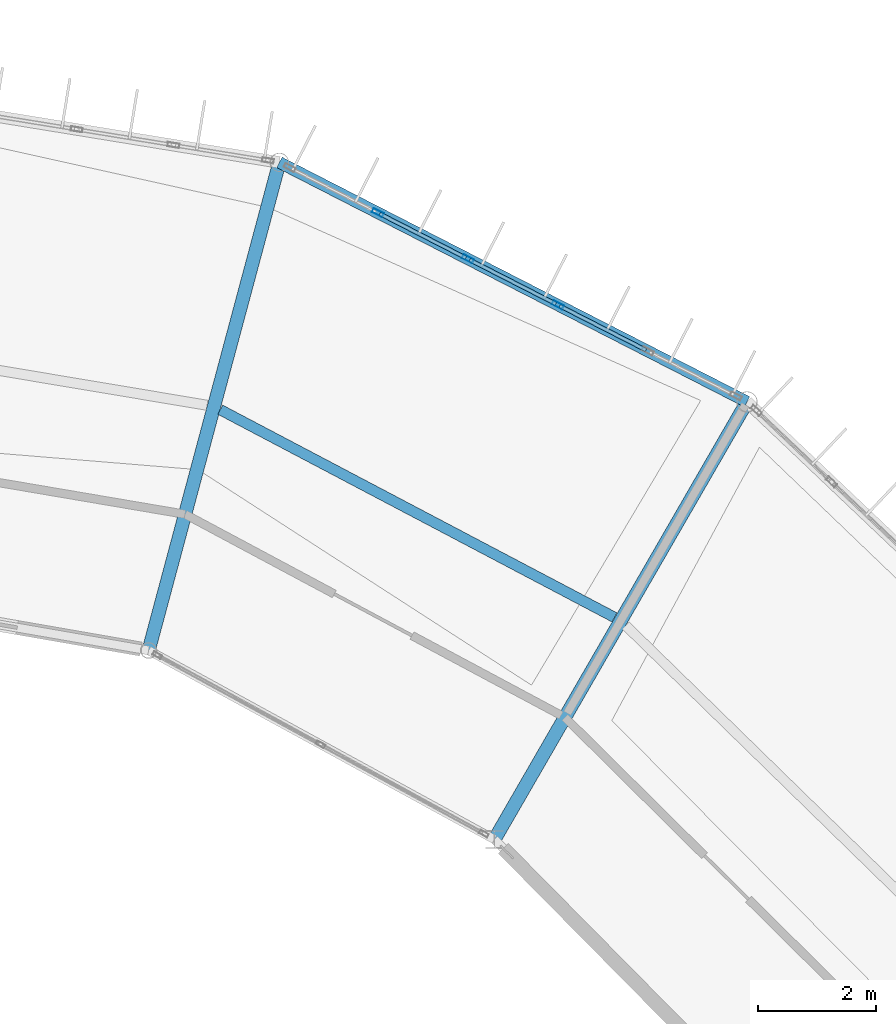
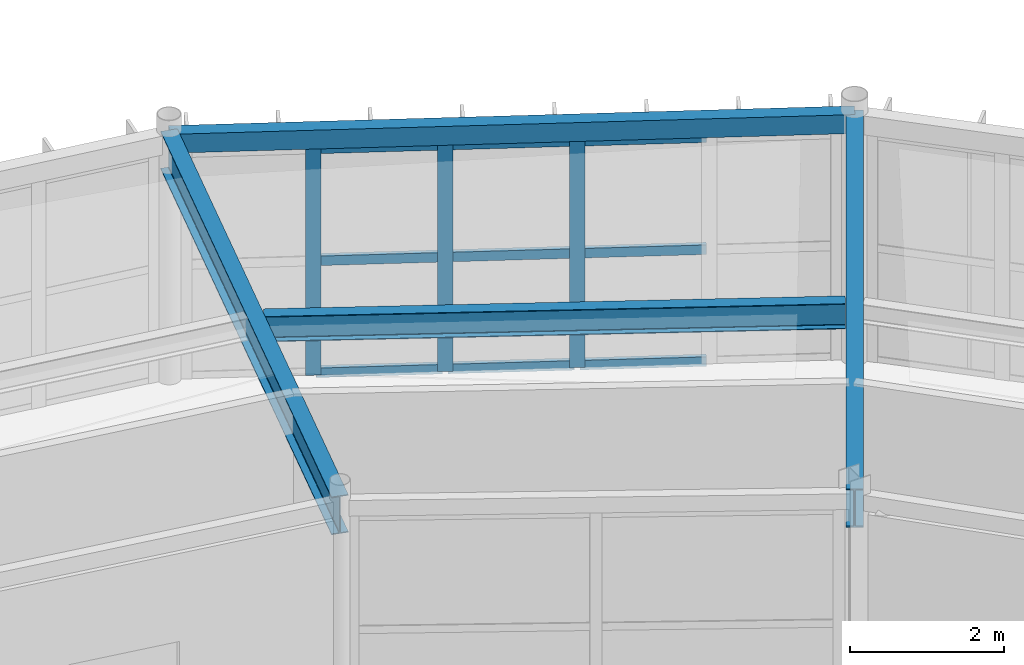
# One storey, part 87 of 148: 12 members, 4 beams, 1 element without a shape of its own.
"""IFC4 building model written with IfcOpenShell, lengths in metres."""

from ifc_helpers import new_model, si_unit, direction, frame, origin, origin_2d, place, context, subcontext, project, spatial, hollow_rectangle, i_section, extrude, material, material_profile, profile_set, type_object, element, aggregate, save


model = new_model("IFC4")

# Units and contexts
model_context = context("Model", 3, precision=1e-05, world=origin(), true_north=direction((0.0, 1.0)))
body_context = subcontext(model_context, "Body", "Model", "MODEL_VIEW")
ifc_project = project(units=[si_unit("LENGTHUNIT", "METRE"), si_unit("AREAUNIT", "SQUARE_METRE"), si_unit("VOLUMEUNIT", "CUBIC_METRE"), si_unit("PLANEANGLEUNIT", "RADIAN"), si_unit("MASSUNIT", "GRAM", prefix="KILO")], contexts=[model_context])

# Site, building, storey
site_placement = place(None, origin())
site = spatial("IfcSite", under=ifc_project, at=site_placement, CompositionType="ELEMENT")
building_placement = place(site_placement, origin())
building = spatial("IfcBuilding", under=site, at=building_placement, Name="Karori Crest Natural Sciences Institute", CompositionType="ELEMENT")
storey_placement = place(building_placement, frame((0.0, 0.0, 4.89990234375)))
storey = spatial("IfcBuildingStorey", under=building, at=storey_placement, Name="L01", CompositionType="ELEMENT", Elevation=4.89990234375)

# Beams
ifc_material_1 = material(Name="Structural steel AS/NZS 3679.1 Grade 350", Category="steel")
ifc_material_profile_1 = material_profile(ifc_material_1, i_section(OverallWidth=0.22900390625, OverallDepth=0.612060546875, WebThickness=0.011962890625, FlangeThickness=0.01953125, FilletRadius=0.013916015625, at=origin_2d()), Name="610UB125")
ifc_profile_set_1 = profile_set([ifc_material_profile_1], Name="Structural steel AS/NZS 3679.1 Grade 350")
beam_type_1 = type_object("IfcBeamType", Name="BT-04", PredefinedType="BEAM", material=ifc_profile_set_1)
beam_1_placement = place(storey_placement, frame((78.60009765625, 77.785888671875, 3.634033203125), z_axis=(0.499973925258, 0.86604045752, 0.0), x_axis=(-0.86604045752, 0.499973925258, 0.0)))
element("IfcBeam", 1, at=beam_1_placement, inside=storey, type_object=beam_type_1, Name="Beam B-0197", PredefinedType="BEAM", context=body_context, shape_type="SweptSolid", body=[
    extrude(i_section(OverallWidth=0.22900390625, OverallDepth=0.612060546875, WebThickness=0.011962890625, FlangeThickness=0.01953125, FilletRadius=0.013916015625, at=origin_2d()), origin(), (0.0, 0.0, 1.0), 8.60009765625),
])
ifc_material_2 = material(Name="Hollow structural steel AS/NZS 1163 Grade C350", Category="steel")
ifc_material_profile_2 = material_profile(ifc_material_2, hollow_rectangle(XDim=0.199951171875, YDim=0.300048828125, WallThickness=0.010009765625, at=origin_2d()), Name="RHS300x200x10")
ifc_profile_set_2 = profile_set([ifc_material_profile_2], Name="Hollow structural steel AS/NZS 1163 Grade C350")
beam_type_2 = type_object("IfcBeamType", Name="BT-15", PredefinedType="SPANDREL", material=ifc_profile_set_2)
beam_2_placement = place(storey_placement, frame((82.89990234375, 85.23388671875, 3.7900390625), z_axis=(-0.890071733872, 0.455820478436, 0.0), x_axis=(-0.455820478436, -0.890071733872, 0.0)))
element("IfcBeam", 2, at=beam_2_placement, inside=storey, type_object=beam_type_2, Name="Beam B-0195", PredefinedType="SPANDREL", context=body_context, shape_type="SweptSolid", body=[
    extrude(hollow_rectangle(XDim=0.199951171875, YDim=0.300048828125, WallThickness=0.010009765625, at=origin_2d()), origin(), (0.0, 0.0, 1.0), 8.94189453125),
])
ifc_material_profile_3 = material_profile(ifc_material_1, i_section(OverallWidth=0.22802734375, OverallDepth=0.60205078125, WebThickness=0.010498046875, FlangeThickness=0.014892578125, FilletRadius=0.013916015625, at=origin_2d()), Name="610UB101")
ifc_profile_set_3 = profile_set([ifc_material_profile_3], Name="Structural steel AS/NZS 3679.1 Grade 350")
beam_type_3 = type_object("IfcBeamType", Name="BT-27", PredefinedType="BEAM", material=ifc_profile_set_3)
beam_3_placement = place(storey_placement, frame((72.715087890625, 81.002685546875, 3.63916015625), z_axis=(0.258812709002, 0.96592752402, 0.0), x_axis=(-0.96592752402, 0.258812709002, 0.0)))
element("IfcBeam", 3, at=beam_3_placement, inside=storey, type_object=beam_type_3, Name="Beam B-0201", PredefinedType="BEAM", context=body_context, shape_type="SweptSolid", body=[
    extrude(i_section(OverallWidth=0.22802734375, OverallDepth=0.60205078125, WebThickness=0.010498046875, FlangeThickness=0.014892578125, FilletRadius=0.013916015625, at=origin_2d()), origin(), (0.0, 0.0, 1.0), 8.60009765625),
])
ifc_material_profile_4 = material_profile(ifc_material_1, i_section(OverallWidth=0.177978515625, OverallDepth=0.403076171875, WebThickness=0.007568359375, FlangeThickness=0.010986328125, FilletRadius=0.010986328125, at=origin_2d()), Name="410UB53.7")
ifc_profile_set_4 = profile_set([ifc_material_profile_4], Name="Structural steel AS/NZS 3679.1 Grade 350")
beam_type_4 = type_object("IfcBeamType", Name="BT-29", PredefinedType="BEAM", material=ifc_profile_set_4)
beam_4_placement = place(storey_placement, frame((80.643798828125, 81.56591796875, 3.738525390625), z_axis=(-0.884748465601, 0.466068828197, 0.0), x_axis=(-0.466068828197, -0.884748465601, 0.0)))
element("IfcBeam", 4, at=beam_4_placement, inside=storey, type_object=beam_type_4, Name="Beam B-0198", PredefinedType="BEAM", context=body_context, shape_type="SweptSolid", body=[
    extrude(i_section(OverallWidth=0.177978515625, OverallDepth=0.403076171875, WebThickness=0.007568359375, FlangeThickness=0.010986328125, FilletRadius=0.010986328125, at=origin_2d()), origin(), (0.0, 0.0, 1.0), 7.58349609375),
])

# Curtain wall, members
ifc_material_3 = material(Name="Anodised architectural aluminium 6063-T6", Category="aluminium")
curtain_wall_type = type_object("IfcCurtainWallType", Name="CWT-05", PredefinedType="NOTDEFINED", material=ifc_material_3)
curtain_wall_placement = place(storey_placement, origin())
curtain_wall = element("IfcCurtainWall", 5, at=curtain_wall_placement, inside=storey, type_object=curtain_wall_type, Name="Curtain wall CW-0036", PredefinedType="NOTDEFINED")
ifc_material_profile_5 = material_profile(ifc_material_3, hollow_rectangle(XDim=0.074951171875, YDim=0.199951171875, WallThickness=0.0048828125, at=origin_2d()), Name="CWM200x75x5")
ifc_profile_set_5 = profile_set([ifc_material_profile_5], Name="Anodised architectural aluminium 6063-T6")
member_type_1 = type_object("IfcMemberType", Name="CWM-02", PredefinedType="MULLION", material=ifc_profile_set_5)
member_1_placement = place(storey_placement, frame((76.615478515625, 88.452392578125, 0.0), z_axis=(0.0, 0.0, 1.0), x_axis=(0.455832988828, 0.890065326982, 0.0)))
member_1 = element("IfcMember", 6, at=member_1_placement, type_object=member_type_1, Name="CW-0036 mullion 2", PredefinedType="MULLION", context=body_context, shape_type="SweptSolid", body=[
    extrude(hollow_rectangle(XDim=0.074951171875, YDim=0.199951171875, WallThickness=0.0048828125, at=origin_2d()), origin(), (0.0, 0.0, 1.0), 3.625),
])
member_2_placement = place(storey_placement, frame((78.1474609375, 87.667724609375, 0.0), z_axis=(0.0, 0.0, 1.0), x_axis=(0.455832988828, 0.890065326982, 0.0)))
member_2 = element("IfcMember", 7, at=member_2_placement, type_object=member_type_1, Name="CW-0036 mullion 3", PredefinedType="MULLION", context=body_context, shape_type="SweptSolid", body=[
    extrude(hollow_rectangle(XDim=0.074951171875, YDim=0.199951171875, WallThickness=0.0048828125, at=origin_2d()), origin(), (0.0, 0.0, 1.0), 3.625),
])
member_3_placement = place(storey_placement, frame((79.679443359375, 86.883056640625, 0.0), z_axis=(0.0, 0.0, 1.0), x_axis=(0.455832988828, 0.890065326982, 0.0)))
member_3 = element("IfcMember", 8, at=member_3_placement, type_object=member_type_1, Name="CW-0036 mullion 4", PredefinedType="MULLION", context=body_context, shape_type="SweptSolid", body=[
    extrude(hollow_rectangle(XDim=0.074951171875, YDim=0.199951171875, WallThickness=0.0048828125, at=origin_2d()), origin(), (0.0, 0.0, 1.0), 3.625),
])
ifc_material_profile_6 = material_profile(ifc_material_3, hollow_rectangle(XDim=0.06494140625, YDim=0.14990234375, WallThickness=0.00390625, at=origin_2d()), Name="CWT150x65x4")
ifc_profile_set_6 = profile_set([ifc_material_profile_6], Name="Anodised architectural aluminium 6063-T6")
member_type_2 = type_object("IfcMemberType", Name="CWT-TR2", PredefinedType="USERDEFINED", material=ifc_profile_set_6)
member_4_placement = place(storey_placement, frame((76.648681640625, 88.435302734375, 0.03271484375), z_axis=(0.890055105015, -0.45585294782, 0.0), x_axis=(0.45585294782, 0.890055105015, 0.0)))
member_4 = element("IfcMember", 9, at=member_4_placement, type_object=member_type_2, Name="CW-0036 transom 2.1", ObjectType="TRANSOM", PredefinedType="USERDEFINED", context=body_context, shape_type="SweptSolid", body=[
    extrude(hollow_rectangle(XDim=0.06494140625, YDim=0.14990234375, WallThickness=0.00390625, at=origin_2d()), origin(), (0.0, 0.0, 1.0), 1.646240234375),
])
member_5_placement = place(storey_placement, frame((76.648681640625, 88.435302734375, 1.8125), z_axis=(0.890055105015, -0.45585294782, 0.0), x_axis=(0.45585294782, 0.890055105015, 0.0)))
member_5 = element("IfcMember", 10, at=member_5_placement, type_object=member_type_2, Name="CW-0036 transom 2.2", ObjectType="TRANSOM", PredefinedType="USERDEFINED", context=body_context, shape_type="SweptSolid", body=[
    extrude(hollow_rectangle(XDim=0.06494140625, YDim=0.14990234375, WallThickness=0.00390625, at=origin_2d()), origin(), (0.0, 0.0, 1.0), 1.646240234375),
])
member_6_placement = place(storey_placement, frame((76.648681640625, 88.435302734375, 3.592529296875), z_axis=(0.890055105015, -0.45585294782, 0.0), x_axis=(0.45585294782, 0.890055105015, 0.0)))
member_6 = element("IfcMember", 11, at=member_6_placement, type_object=member_type_2, Name="CW-0036 transom 2.3", ObjectType="TRANSOM", PredefinedType="USERDEFINED", context=body_context, shape_type="SweptSolid", body=[
    extrude(hollow_rectangle(XDim=0.06494140625, YDim=0.14990234375, WallThickness=0.00390625, at=origin_2d()), origin(), (0.0, 0.0, 1.0), 1.646240234375),
])
member_7_placement = place(storey_placement, frame((78.180908203125, 87.650634765625, 0.03271484375), z_axis=(0.890024283327, -0.455913122304, 0.0), x_axis=(0.455913122304, 0.890024283327, 0.0)))
member_7 = element("IfcMember", 12, at=member_7_placement, type_object=member_type_2, Name="CW-0036 transom 3.1", ObjectType="TRANSOM", PredefinedType="USERDEFINED", context=body_context, shape_type="SweptSolid", body=[
    extrude(hollow_rectangle(XDim=0.06494140625, YDim=0.14990234375, WallThickness=0.00390625, at=origin_2d()), origin(), (0.0, 0.0, 1.0), 1.646240234375),
])
member_8_placement = place(storey_placement, frame((78.180908203125, 87.650634765625, 1.8125), z_axis=(0.890024283327, -0.455913122304, 0.0), x_axis=(0.455913122304, 0.890024283327, 0.0)))
member_8 = element("IfcMember", 13, at=member_8_placement, type_object=member_type_2, Name="CW-0036 transom 3.2", ObjectType="TRANSOM", PredefinedType="USERDEFINED", context=body_context, shape_type="SweptSolid", body=[
    extrude(hollow_rectangle(XDim=0.06494140625, YDim=0.14990234375, WallThickness=0.00390625, at=origin_2d()), origin(), (0.0, 0.0, 1.0), 1.646240234375),
])
member_9_placement = place(storey_placement, frame((78.180908203125, 87.650634765625, 3.592529296875), z_axis=(0.890024283327, -0.455913122304, 0.0), x_axis=(0.455913122304, 0.890024283327, 0.0)))
member_9 = element("IfcMember", 14, at=member_9_placement, type_object=member_type_2, Name="CW-0036 transom 3.3", ObjectType="TRANSOM", PredefinedType="USERDEFINED", context=body_context, shape_type="SweptSolid", body=[
    extrude(hollow_rectangle(XDim=0.06494140625, YDim=0.14990234375, WallThickness=0.00390625, at=origin_2d()), origin(), (0.0, 0.0, 1.0), 1.646240234375),
])
member_10_placement = place(storey_placement, frame((79.712890625, 86.865966796875, 0.03271484375), z_axis=(0.890055105015, -0.45585294782, 0.0), x_axis=(0.45585294782, 0.890055105015, 0.0)))
member_10 = element("IfcMember", 15, at=member_10_placement, type_object=member_type_2, Name="CW-0036 transom 4.1", ObjectType="TRANSOM", PredefinedType="USERDEFINED", context=body_context, shape_type="SweptSolid", body=[
    extrude(hollow_rectangle(XDim=0.06494140625, YDim=0.14990234375, WallThickness=0.00390625, at=origin_2d()), origin(), (0.0, 0.0, 1.0), 1.646240234375),
])
member_11_placement = place(storey_placement, frame((79.712890625, 86.865966796875, 1.8125), z_axis=(0.890055105015, -0.45585294782, 0.0), x_axis=(0.45585294782, 0.890055105015, 0.0)))
member_11 = element("IfcMember", 16, at=member_11_placement, type_object=member_type_2, Name="CW-0036 transom 4.2", ObjectType="TRANSOM", PredefinedType="USERDEFINED", context=body_context, shape_type="SweptSolid", body=[
    extrude(hollow_rectangle(XDim=0.06494140625, YDim=0.14990234375, WallThickness=0.00390625, at=origin_2d()), origin(), (0.0, 0.0, 1.0), 1.646240234375),
])
member_12_placement = place(storey_placement, frame((79.712890625, 86.865966796875, 3.592529296875), z_axis=(0.890055105015, -0.45585294782, 0.0), x_axis=(0.45585294782, 0.890055105015, 0.0)))
member_12 = element("IfcMember", 17, at=member_12_placement, type_object=member_type_2, Name="CW-0036 transom 4.3", ObjectType="TRANSOM", PredefinedType="USERDEFINED", context=body_context, shape_type="SweptSolid", body=[
    extrude(hollow_rectangle(XDim=0.06494140625, YDim=0.14990234375, WallThickness=0.00390625, at=origin_2d()), origin(), (0.0, 0.0, 1.0), 1.646240234375),
])
aggregate(curtain_wall, [member_1, member_2, member_3, member_4, member_5, member_6, member_7, member_8, member_9, member_10, member_11, member_12])

save(model, "model.ifc")
